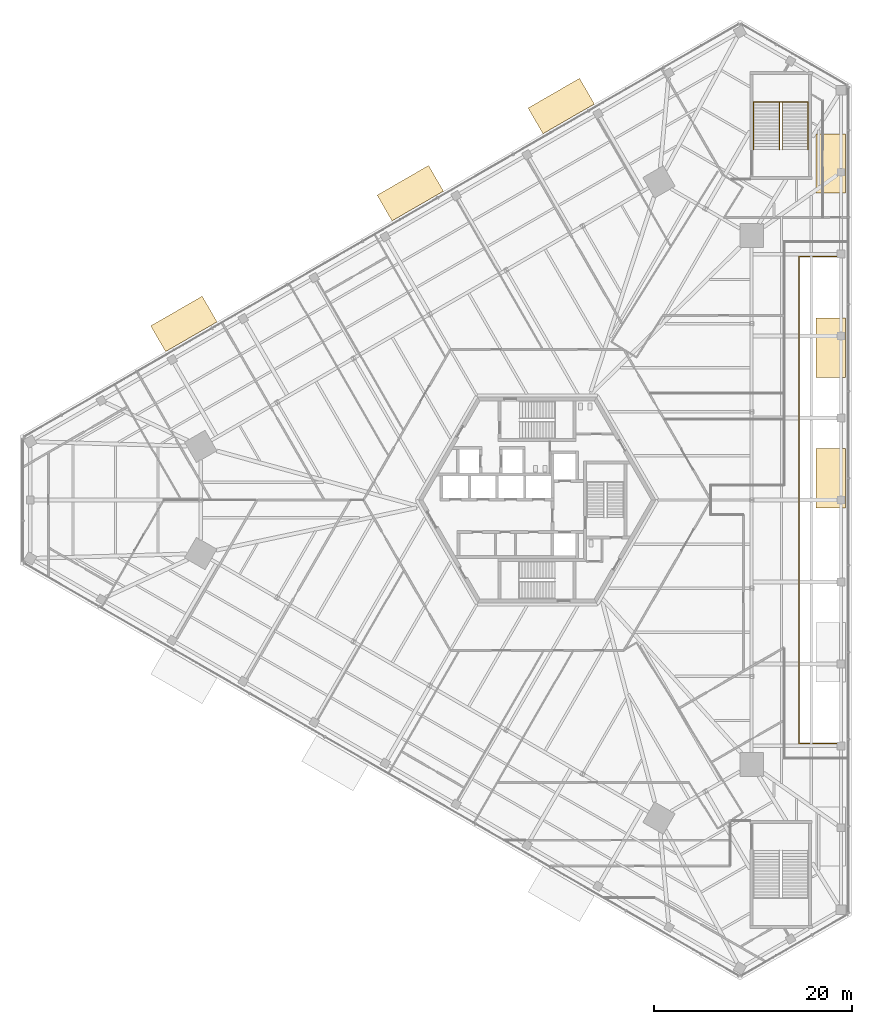
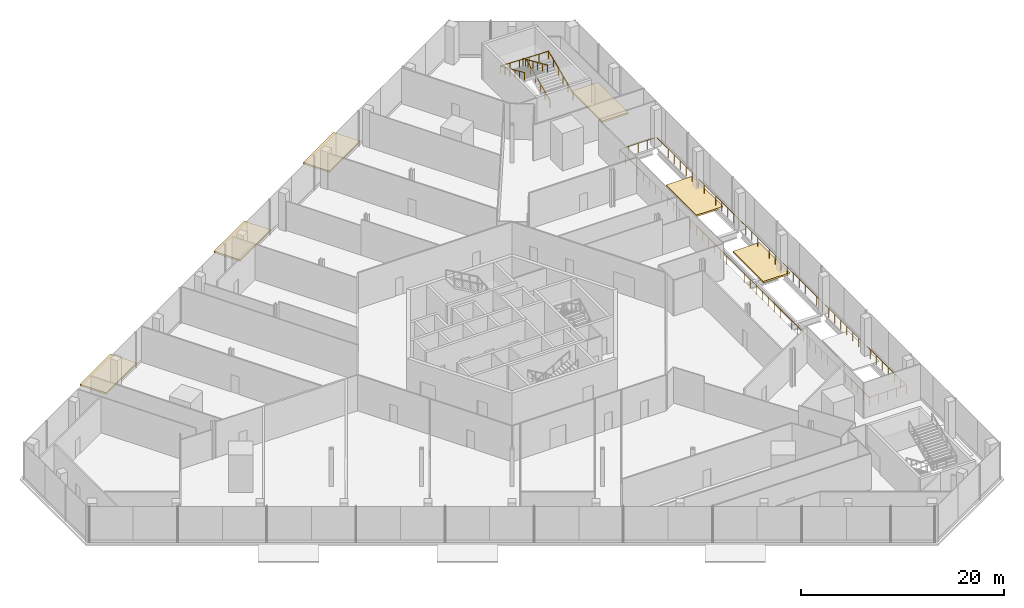
# One storey, part 26 of 27: 6 coverings, 3 railings.
"""IFC4 building model written with IfcOpenShell, lengths in metres."""

from ifc_helpers import new_model, si_unit, direction, frame, origin, origin_2d, place, context, subcontext, project, spatial, rectangle, circle, extrude, source, transform, mapped, material, layer, layer_set, type_object, element, save


model = new_model("IFC4")

# Units and contexts
model_context = context("Model", 3, precision=1e-05, world=origin(), true_north=direction((0.0, 1.0)))
body_context = subcontext(model_context, "Body", "Model", "MODEL_VIEW")
ifc_project = project(units=[si_unit("LENGTHUNIT", "METRE"), si_unit("AREAUNIT", "SQUARE_METRE"), si_unit("VOLUMEUNIT", "CUBIC_METRE"), si_unit("PLANEANGLEUNIT", "RADIAN"), si_unit("MASSUNIT", "GRAM", prefix="KILO")], contexts=[model_context])

# Site, building, storey
site_placement = place(None, origin())
site = spatial("IfcSite", under=ifc_project, at=site_placement, CompositionType="ELEMENT")
building_placement = place(site_placement, origin())
building = spatial("IfcBuilding", under=site, at=building_placement, Name="Triune Harvest Tower", CompositionType="ELEMENT")
storey_placement = place(building_placement, frame((0.0, 0.0, 7.0)))
storey = spatial("IfcBuildingStorey", under=building, at=storey_placement, Name="L01", CompositionType="ELEMENT", Elevation=7.0)

# Railings
ifc_material_1 = material(Name="Stainless steel AISI 316", Category="steel")
railing_type_1 = type_object("IfcRailingType", Name="Stair handrail", PredefinedType="HANDRAIL", material=ifc_material_1)
railing_1_placement = place(storey_placement, frame((27.3701171875, 35.39990234375, 0.13232421875)))
element("IfcRailing", 1, at=railing_1_placement, inside=storey, type_object=railing_type_1, Name="Podium exit stair north wall handrail", PredefinedType="HANDRAIL", context=body_context, shape_type="SweptSolid", body=[
    extrude(circle(Radius=0.02392578125, at=origin_2d()), frame((0.0, 0.0, 0.8759765625), z_axis=(0.0, 0.914917296127, 0.403641352251), x_axis=(-1.0, 0.0, 0.0)), (0.0, 0.0, 1.0), 5.246337890625),
    extrude(circle(Radius=0.02392578125, at=origin_2d()), frame((0.0, 4.800048828125, 2.99365234375), z_axis=(-0.999710709072, 0.0, 0.024051988828), x_axis=(0.0, -1.0, 0.0)), (0.0, 0.0, 1.0), 5.501708984375),
    extrude(circle(Radius=0.02392578125, at=origin_2d()), frame((-5.5, 4.800048828125, 3.1259765625), z_axis=(0.0, -0.914917296127, 0.403641352251), x_axis=(1.0, 0.0, 0.0)), (0.0, 0.0, 1.0), 5.246337890625),
    extrude(circle(Radius=0.02099609375, at=origin_2d()), origin(), (0.0, 0.0, 1.0), 0.851806640625),
    extrude(circle(Radius=0.02099609375, at=origin_2d()), frame((0.0, 0.9599609375, 0.423583984375)), (0.0, 0.0, 1.0), 0.851806640625),
    extrude(circle(Radius=0.02099609375, at=origin_2d()), frame((0.0, 1.919921875, 0.84716796875)), (0.0, 0.0, 1.0), 0.851806640625),
    extrude(circle(Radius=0.02099609375, at=origin_2d()), frame((0.0, 2.880126953125, 1.2705078125)), (0.0, 0.0, 1.0), 0.851806640625),
    extrude(circle(Radius=0.02099609375, at=origin_2d()), frame((0.0, 3.840087890625, 1.694091796875)), (0.0, 0.0, 1.0), 0.851806640625),
    extrude(circle(Radius=0.02099609375, at=origin_2d()), frame((0.0, 4.800048828125, 2.11767578125)), (0.0, 0.0, 1.0), 0.851806640625),
    extrude(circle(Radius=0.02099609375, at=origin_2d()), frame((-1.10009765625, 4.800048828125, 2.14404296875)), (0.0, 0.0, 1.0), 0.851806640625),
    extrude(circle(Radius=0.02099609375, at=origin_2d()), frame((-2.199951171875, 4.800048828125, 2.170654296875)), (0.0, 0.0, 1.0), 0.851806640625),
    extrude(circle(Radius=0.02099609375, at=origin_2d()), frame((-3.300048828125, 4.800048828125, 2.197021484375)), (0.0, 0.0, 1.0), 0.851806640625),
    extrude(circle(Radius=0.02099609375, at=origin_2d()), frame((-4.39990234375, 4.800048828125, 2.2236328125)), (0.0, 0.0, 1.0), 0.851806640625),
    extrude(circle(Radius=0.02099609375, at=origin_2d()), frame((-5.5, 4.800048828125, 2.25)), (0.0, 0.0, 1.0), 0.851806640625),
    extrude(circle(Radius=0.02099609375, at=origin_2d()), frame((-5.5, 3.840087890625, 2.673583984375)), (0.0, 0.0, 1.0), 0.851806640625),
    extrude(circle(Radius=0.02099609375, at=origin_2d()), frame((-5.5, 2.880126953125, 3.09716796875)), (0.0, 0.0, 1.0), 0.851806640625),
    extrude(circle(Radius=0.02099609375, at=origin_2d()), frame((-5.5, 1.919921875, 3.5205078125)), (0.0, 0.0, 1.0), 0.851806640625),
    extrude(circle(Radius=0.02099609375, at=origin_2d()), frame((-5.5, 0.9599609375, 3.944091796875)), (0.0, 0.0, 1.0), 0.851806640625),
    extrude(circle(Radius=0.02099609375, at=origin_2d()), frame((-5.5, 0.0, 4.36767578125)), (0.0, 0.0, 1.0), 0.851806640625),
])
railing_2_placement = place(storey_placement, frame((24.77001953125, 35.39990234375, 0.13232421875)))
element("IfcRailing", 2, at=railing_2_placement, inside=storey, type_object=railing_type_1, Name="Podium exit stair north centre handrail", PredefinedType="HANDRAIL", context=body_context, shape_type="SweptSolid", body=[
    extrude(circle(Radius=0.02392578125, at=origin_2d()), frame((0.0, 0.0, 0.8759765625), z_axis=(0.0, 0.914917296127, 0.403641352251), x_axis=(-1.0, 0.0, 0.0)), (0.0, 0.0, 1.0), 5.246337890625),
    extrude(circle(Radius=0.02392578125, at=origin_2d()), frame((0.0, 4.800048828125, 2.99365234375), z_axis=(-0.914974397301, 0.0, 0.403511898566), x_axis=(0.0, -1.0, 0.0)), (0.0, 0.0, 1.0), 0.327880859375),
    extrude(circle(Radius=0.02392578125, at=origin_2d()), frame((-0.300048828125, 4.800048828125, 3.1259765625), z_axis=(0.0, -0.914917296127, 0.403641352251), x_axis=(1.0, 0.0, 0.0)), (0.0, 0.0, 1.0), 5.246337890625),
    extrude(circle(Radius=0.02099609375, at=origin_2d()), origin(), (0.0, 0.0, 1.0), 0.851806640625),
    extrude(circle(Radius=0.02099609375, at=origin_2d()), frame((0.0, 0.9599609375, 0.423583984375)), (0.0, 0.0, 1.0), 0.851806640625),
    extrude(circle(Radius=0.02099609375, at=origin_2d()), frame((0.0, 1.919921875, 0.84716796875)), (0.0, 0.0, 1.0), 0.851806640625),
    extrude(circle(Radius=0.02099609375, at=origin_2d()), frame((0.0, 2.880126953125, 1.2705078125)), (0.0, 0.0, 1.0), 0.851806640625),
    extrude(circle(Radius=0.02099609375, at=origin_2d()), frame((0.0, 3.840087890625, 1.694091796875)), (0.0, 0.0, 1.0), 0.851806640625),
    extrude(circle(Radius=0.02099609375, at=origin_2d()), frame((0.0, 4.800048828125, 2.11767578125)), (0.0, 0.0, 1.0), 0.851806640625),
    extrude(circle(Radius=0.02099609375, at=origin_2d()), frame((-0.300048828125, 4.800048828125, 2.25)), (0.0, 0.0, 1.0), 0.851806640625),
    extrude(circle(Radius=0.02099609375, at=origin_2d()), frame((-0.300048828125, 3.840087890625, 2.673583984375)), (0.0, 0.0, 1.0), 0.851806640625),
    extrude(circle(Radius=0.02099609375, at=origin_2d()), frame((-0.300048828125, 2.880126953125, 3.09716796875)), (0.0, 0.0, 1.0), 0.851806640625),
    extrude(circle(Radius=0.02099609375, at=origin_2d()), frame((-0.300048828125, 1.919921875, 3.5205078125)), (0.0, 0.0, 1.0), 0.851806640625),
    extrude(circle(Radius=0.02099609375, at=origin_2d()), frame((-0.300048828125, 0.9599609375, 3.944091796875)), (0.0, 0.0, 1.0), 0.851806640625),
    extrude(circle(Radius=0.02099609375, at=origin_2d()), frame((-0.300048828125, 0.0, 4.36767578125)), (0.0, 0.0, 1.0), 0.851806640625),
])

# Coverings
ifc_material_2 = material(Name="Aluminium bronze anodised", Category="aluminium")
ifc_layer = layer(ifc_material_2, 0.199951171875)
ifc_layer_set = layer_set([ifc_layer], Name="Aluminium bronze anodised")
covering_type = type_object("IfcCoveringType", Name="CN-1 entrance canopy 200", PredefinedType="USERDEFINED", material=ifc_layer_set)
shared_shape_1 = source(origin(), body_context, "Body", "SweptSolid", [
    extrude(rectangle(XDim=3.0, YDim=6.0, at=origin_2d()), origin(), (0.0, 0.0, 1.0), 0.199951171875),
])
for number, where, z_axis, x_axis, name in (
    (3, (29.654296875, 2.1953125, -0.2001953125), (0.0, 0.0, 1.0), (1.0, 0.0, 0.0), "Entrance canopy L00-E03"),
    (4, (29.654296875, 15.36669921875, -0.2001953125), (0.0, 0.0, 1.0), (1.0, 0.0, 0.0), "Entrance canopy L00-E04"),
    (5, (29.654296875, 34.0, -0.2001953125), (0.0, 0.0, 1.0), (1.0, 0.0, 0.0), "Entrance canopy L00-E05"),
    (6, (2.4375, 39.80615234375, -0.2001953125), (0.0, 0.0, 1.0), (-0.5, 0.866025403784, 0.0), "Entrance canopy L00-E06"),
    (7, (-12.814208984375, 31.00048828125, -0.2001953125), (0.0, 0.0, 1.0), (-0.5, 0.866025403784, 0.0), "Entrance canopy L00-E07"),
    (8, (-35.69189453125, 17.7919921875, -0.2001953125), (0.0, 0.0, 1.0), (-0.5, 0.866025403784, 0.0), "Entrance canopy L00-E08"),
):
    element("IfcCovering", number, at=place(storey_placement, frame(where, z_axis=z_axis, x_axis=x_axis)), inside=storey, type_object=covering_type, Name=name, ObjectType="CANOPY", PredefinedType="USERDEFINED", context=body_context, shape_type="MappedRepresentation", body=[
        mapped(shared_shape_1, transform((0.0, 0.0, 0.0), scale=1.0)),
    ])

# Railing
ifc_material_3 = material(Name="Steel ASTM A992 Gr 50", Category="steel")
railing_type_2 = type_object("IfcRailingType", Name="GD-5 atrium guard 1100", PredefinedType="GUARDRAIL", material=ifc_material_3)
shared_shape_2 = source(origin(), body_context, "Body", "SweptSolid", [
    extrude(circle(Radius=0.02392578125, at=origin_2d()), frame((0.0, 0.0, 1.076171875), z_axis=(0.0, 1.0, 0.0), x_axis=(-1.0, 0.0, 0.0)), (0.0, 0.0, 1.0), 49.2001953125),
    extrude(circle(Radius=0.02392578125, at=origin_2d()), frame((0.0, 49.2001953125, 1.076171875), z_axis=(1.0, 0.0, 0.0), x_axis=(0.0, 1.0, 0.0)), (0.0, 0.0, 1.0), 4.199951171875),
    extrude(circle(Radius=0.02392578125, at=origin_2d()), frame((4.199951171875, 49.2001953125, 1.076171875), z_axis=(0.0, -1.0, 0.0), x_axis=(1.0, 0.0, 0.0)), (0.0, 0.0, 1.0), 49.2001953125),
    extrude(circle(Radius=0.02392578125, at=origin_2d()), frame((4.199951171875, 0.0, 1.076171875), z_axis=(-1.0, 0.0, 0.0), x_axis=(0.0, -1.0, 0.0)), (0.0, 0.0, 1.0), 4.199951171875),
    extrude(circle(Radius=0.02099609375, at=origin_2d()), origin(), (0.0, 0.0, 1.0), 1.052001953125),
    extrude(circle(Radius=0.02099609375, at=origin_2d()), frame((0.0, 1.17138671875, 0.0)), (0.0, 0.0, 1.0), 1.052001953125),
    extrude(circle(Radius=0.02099609375, at=origin_2d()), frame((0.0, 2.3427734375, 0.0)), (0.0, 0.0, 1.0), 1.052001953125),
    extrude(circle(Radius=0.02099609375, at=origin_2d()), frame((0.0, 3.514404296875, 0.0)), (0.0, 0.0, 1.0), 1.052001953125),
    extrude(circle(Radius=0.02099609375, at=origin_2d()), frame((0.0, 4.685791015625, 0.0)), (0.0, 0.0, 1.0), 1.052001953125),
    extrude(circle(Radius=0.02099609375, at=origin_2d()), frame((0.0, 5.857177734375, 0.0)), (0.0, 0.0, 1.0), 1.052001953125),
    extrude(circle(Radius=0.02099609375, at=origin_2d()), frame((0.0, 7.028564453125, 0.0)), (0.0, 0.0, 1.0), 1.052001953125),
    extrude(circle(Radius=0.02099609375, at=origin_2d()), frame((0.0, 8.199951171875, 0.0)), (0.0, 0.0, 1.0), 1.052001953125),
    extrude(circle(Radius=0.02099609375, at=origin_2d()), frame((0.0, 9.37158203125, 0.0)), (0.0, 0.0, 1.0), 1.052001953125),
    extrude(circle(Radius=0.02099609375, at=origin_2d()), frame((0.0, 10.54296875, 0.0)), (0.0, 0.0, 1.0), 1.052001953125),
    extrude(circle(Radius=0.02099609375, at=origin_2d()), frame((0.0, 11.71435546875, 0.0)), (0.0, 0.0, 1.0), 1.052001953125),
    extrude(circle(Radius=0.02099609375, at=origin_2d()), frame((0.0, 12.8857421875, 0.0)), (0.0, 0.0, 1.0), 1.052001953125),
    extrude(circle(Radius=0.02099609375, at=origin_2d()), frame((0.0, 14.05712890625, 0.0)), (0.0, 0.0, 1.0), 1.052001953125),
    extrude(circle(Radius=0.02099609375, at=origin_2d()), frame((0.0, 15.228515625, 0.0)), (0.0, 0.0, 1.0), 1.052001953125),
    extrude(circle(Radius=0.02099609375, at=origin_2d()), frame((0.0, 16.400146484375, 0.0)), (0.0, 0.0, 1.0), 1.052001953125),
    extrude(circle(Radius=0.02099609375, at=origin_2d()), frame((0.0, 17.571533203125, 0.0)), (0.0, 0.0, 1.0), 1.052001953125),
    extrude(circle(Radius=0.02099609375, at=origin_2d()), frame((0.0, 18.742919921875, 0.0)), (0.0, 0.0, 1.0), 1.052001953125),
    extrude(circle(Radius=0.02099609375, at=origin_2d()), frame((0.0, 19.914306640625, 0.0)), (0.0, 0.0, 1.0), 1.052001953125),
    extrude(circle(Radius=0.02099609375, at=origin_2d()), frame((0.0, 21.085693359375, 0.0)), (0.0, 0.0, 1.0), 1.052001953125),
    extrude(circle(Radius=0.02099609375, at=origin_2d()), frame((0.0, 22.25732421875, 0.0)), (0.0, 0.0, 1.0), 1.052001953125),
    extrude(circle(Radius=0.02099609375, at=origin_2d()), frame((0.0, 23.4287109375, 0.0)), (0.0, 0.0, 1.0), 1.052001953125),
    extrude(circle(Radius=0.02099609375, at=origin_2d()), frame((0.0, 24.60009765625, 0.0)), (0.0, 0.0, 1.0), 1.052001953125),
    extrude(circle(Radius=0.02099609375, at=origin_2d()), frame((0.0, 25.771484375, 0.0)), (0.0, 0.0, 1.0), 1.052001953125),
    extrude(circle(Radius=0.02099609375, at=origin_2d()), frame((0.0, 26.94287109375, 0.0)), (0.0, 0.0, 1.0), 1.052001953125),
    extrude(circle(Radius=0.02099609375, at=origin_2d()), frame((0.0, 28.114501953125, 0.0)), (0.0, 0.0, 1.0), 1.052001953125),
    extrude(circle(Radius=0.02099609375, at=origin_2d()), frame((0.0, 29.285888671875, 0.0)), (0.0, 0.0, 1.0), 1.052001953125),
    extrude(circle(Radius=0.02099609375, at=origin_2d()), frame((0.0, 30.457275390625, 0.0)), (0.0, 0.0, 1.0), 1.052001953125),
    extrude(circle(Radius=0.02099609375, at=origin_2d()), frame((0.0, 31.628662109375, 0.0)), (0.0, 0.0, 1.0), 1.052001953125),
    extrude(circle(Radius=0.02099609375, at=origin_2d()), frame((0.0, 32.800048828125, 0.0)), (0.0, 0.0, 1.0), 1.052001953125),
    extrude(circle(Radius=0.02099609375, at=origin_2d()), frame((0.0, 33.9716796875, 0.0)), (0.0, 0.0, 1.0), 1.052001953125),
    extrude(circle(Radius=0.02099609375, at=origin_2d()), frame((0.0, 35.14306640625, 0.0)), (0.0, 0.0, 1.0), 1.052001953125),
    extrude(circle(Radius=0.02099609375, at=origin_2d()), frame((0.0, 36.314453125, 0.0)), (0.0, 0.0, 1.0), 1.052001953125),
    extrude(circle(Radius=0.02099609375, at=origin_2d()), frame((0.0, 37.48583984375, 0.0)), (0.0, 0.0, 1.0), 1.052001953125),
    extrude(circle(Radius=0.02099609375, at=origin_2d()), frame((0.0, 38.6572265625, 0.0)), (0.0, 0.0, 1.0), 1.052001953125),
    extrude(circle(Radius=0.02099609375, at=origin_2d()), frame((0.0, 39.82861328125, 0.0)), (0.0, 0.0, 1.0), 1.052001953125),
    extrude(circle(Radius=0.02099609375, at=origin_2d()), frame((0.0, 41.000244140625, 0.0)), (0.0, 0.0, 1.0), 1.052001953125),
    extrude(circle(Radius=0.02099609375, at=origin_2d()), frame((0.0, 42.171630859375, 0.0)), (0.0, 0.0, 1.0), 1.052001953125),
    extrude(circle(Radius=0.02099609375, at=origin_2d()), frame((0.0, 43.343017578125, 0.0)), (0.0, 0.0, 1.0), 1.052001953125),
    extrude(circle(Radius=0.02099609375, at=origin_2d()), frame((0.0, 44.514404296875, 0.0)), (0.0, 0.0, 1.0), 1.052001953125),
    extrude(circle(Radius=0.02099609375, at=origin_2d()), frame((0.0, 45.685791015625, 0.0)), (0.0, 0.0, 1.0), 1.052001953125),
    extrude(circle(Radius=0.02099609375, at=origin_2d()), frame((0.0, 46.857421875, 0.0)), (0.0, 0.0, 1.0), 1.052001953125),
    extrude(circle(Radius=0.02099609375, at=origin_2d()), frame((0.0, 48.02880859375, 0.0)), (0.0, 0.0, 1.0), 1.052001953125),
    extrude(circle(Radius=0.02099609375, at=origin_2d()), frame((0.0, 49.2001953125, 0.0)), (0.0, 0.0, 1.0), 1.052001953125),
    extrude(circle(Radius=0.02099609375, at=origin_2d()), frame((1.050048828125, 49.2001953125, 0.0)), (0.0, 0.0, 1.0), 1.052001953125),
    extrude(circle(Radius=0.02099609375, at=origin_2d()), frame((2.10009765625, 49.2001953125, 0.0)), (0.0, 0.0, 1.0), 1.052001953125),
    extrude(circle(Radius=0.02099609375, at=origin_2d()), frame((3.14990234375, 49.2001953125, 0.0)), (0.0, 0.0, 1.0), 1.052001953125),
    extrude(circle(Radius=0.02099609375, at=origin_2d()), frame((4.199951171875, 49.2001953125, 0.0)), (0.0, 0.0, 1.0), 1.052001953125),
    extrude(circle(Radius=0.02099609375, at=origin_2d()), frame((4.199951171875, 48.02880859375, 0.0)), (0.0, 0.0, 1.0), 1.052001953125),
    extrude(circle(Radius=0.02099609375, at=origin_2d()), frame((4.199951171875, 46.857421875, 0.0)), (0.0, 0.0, 1.0), 1.052001953125),
    extrude(circle(Radius=0.02099609375, at=origin_2d()), frame((4.199951171875, 45.685791015625, 0.0)), (0.0, 0.0, 1.0), 1.052001953125),
    extrude(circle(Radius=0.02099609375, at=origin_2d()), frame((4.199951171875, 44.514404296875, 0.0)), (0.0, 0.0, 1.0), 1.052001953125),
    extrude(circle(Radius=0.02099609375, at=origin_2d()), frame((4.199951171875, 43.343017578125, 0.0)), (0.0, 0.0, 1.0), 1.052001953125),
    extrude(circle(Radius=0.02099609375, at=origin_2d()), frame((4.199951171875, 42.171630859375, 0.0)), (0.0, 0.0, 1.0), 1.052001953125),
    extrude(circle(Radius=0.02099609375, at=origin_2d()), frame((4.199951171875, 41.000244140625, 0.0)), (0.0, 0.0, 1.0), 1.052001953125),
    extrude(circle(Radius=0.02099609375, at=origin_2d()), frame((4.199951171875, 39.82861328125, 0.0)), (0.0, 0.0, 1.0), 1.052001953125),
    extrude(circle(Radius=0.02099609375, at=origin_2d()), frame((4.199951171875, 38.6572265625, 0.0)), (0.0, 0.0, 1.0), 1.052001953125),
    extrude(circle(Radius=0.02099609375, at=origin_2d()), frame((4.199951171875, 37.48583984375, 0.0)), (0.0, 0.0, 1.0), 1.052001953125),
    extrude(circle(Radius=0.02099609375, at=origin_2d()), frame((4.199951171875, 36.314453125, 0.0)), (0.0, 0.0, 1.0), 1.052001953125),
    extrude(circle(Radius=0.02099609375, at=origin_2d()), frame((4.199951171875, 35.14306640625, 0.0)), (0.0, 0.0, 1.0), 1.052001953125),
    extrude(circle(Radius=0.02099609375, at=origin_2d()), frame((4.199951171875, 33.9716796875, 0.0)), (0.0, 0.0, 1.0), 1.052001953125),
    extrude(circle(Radius=0.02099609375, at=origin_2d()), frame((4.199951171875, 32.800048828125, 0.0)), (0.0, 0.0, 1.0), 1.052001953125),
    extrude(circle(Radius=0.02099609375, at=origin_2d()), frame((4.199951171875, 31.628662109375, 0.0)), (0.0, 0.0, 1.0), 1.052001953125),
    extrude(circle(Radius=0.02099609375, at=origin_2d()), frame((4.199951171875, 30.457275390625, 0.0)), (0.0, 0.0, 1.0), 1.052001953125),
    extrude(circle(Radius=0.02099609375, at=origin_2d()), frame((4.199951171875, 29.285888671875, 0.0)), (0.0, 0.0, 1.0), 1.052001953125),
    extrude(circle(Radius=0.02099609375, at=origin_2d()), frame((4.199951171875, 28.114501953125, 0.0)), (0.0, 0.0, 1.0), 1.052001953125),
    extrude(circle(Radius=0.02099609375, at=origin_2d()), frame((4.199951171875, 26.94287109375, 0.0)), (0.0, 0.0, 1.0), 1.052001953125),
    extrude(circle(Radius=0.02099609375, at=origin_2d()), frame((4.199951171875, 25.771484375, 0.0)), (0.0, 0.0, 1.0), 1.052001953125),
    extrude(circle(Radius=0.02099609375, at=origin_2d()), frame((4.199951171875, 24.60009765625, 0.0)), (0.0, 0.0, 1.0), 1.052001953125),
    extrude(circle(Radius=0.02099609375, at=origin_2d()), frame((4.199951171875, 23.4287109375, 0.0)), (0.0, 0.0, 1.0), 1.052001953125),
    extrude(circle(Radius=0.02099609375, at=origin_2d()), frame((4.199951171875, 22.25732421875, 0.0)), (0.0, 0.0, 1.0), 1.052001953125),
    extrude(circle(Radius=0.02099609375, at=origin_2d()), frame((4.199951171875, 21.085693359375, 0.0)), (0.0, 0.0, 1.0), 1.052001953125),
    extrude(circle(Radius=0.02099609375, at=origin_2d()), frame((4.199951171875, 19.914306640625, 0.0)), (0.0, 0.0, 1.0), 1.052001953125),
    extrude(circle(Radius=0.02099609375, at=origin_2d()), frame((4.199951171875, 18.742919921875, 0.0)), (0.0, 0.0, 1.0), 1.052001953125),
    extrude(circle(Radius=0.02099609375, at=origin_2d()), frame((4.199951171875, 17.571533203125, 0.0)), (0.0, 0.0, 1.0), 1.052001953125),
    extrude(circle(Radius=0.02099609375, at=origin_2d()), frame((4.199951171875, 16.400146484375, 0.0)), (0.0, 0.0, 1.0), 1.052001953125),
    extrude(circle(Radius=0.02099609375, at=origin_2d()), frame((4.199951171875, 15.228515625, 0.0)), (0.0, 0.0, 1.0), 1.052001953125),
    extrude(circle(Radius=0.02099609375, at=origin_2d()), frame((4.199951171875, 14.05712890625, 0.0)), (0.0, 0.0, 1.0), 1.052001953125),
    extrude(circle(Radius=0.02099609375, at=origin_2d()), frame((4.199951171875, 12.8857421875, 0.0)), (0.0, 0.0, 1.0), 1.052001953125),
    extrude(circle(Radius=0.02099609375, at=origin_2d()), frame((4.199951171875, 11.71435546875, 0.0)), (0.0, 0.0, 1.0), 1.052001953125),
    extrude(circle(Radius=0.02099609375, at=origin_2d()), frame((4.199951171875, 10.54296875, 0.0)), (0.0, 0.0, 1.0), 1.052001953125),
    extrude(circle(Radius=0.02099609375, at=origin_2d()), frame((4.199951171875, 9.37158203125, 0.0)), (0.0, 0.0, 1.0), 1.052001953125),
    extrude(circle(Radius=0.02099609375, at=origin_2d()), frame((4.199951171875, 8.199951171875, 0.0)), (0.0, 0.0, 1.0), 1.052001953125),
    extrude(circle(Radius=0.02099609375, at=origin_2d()), frame((4.199951171875, 7.028564453125, 0.0)), (0.0, 0.0, 1.0), 1.052001953125),
    extrude(circle(Radius=0.02099609375, at=origin_2d()), frame((4.199951171875, 5.857177734375, 0.0)), (0.0, 0.0, 1.0), 1.052001953125),
    extrude(circle(Radius=0.02099609375, at=origin_2d()), frame((4.199951171875, 4.685791015625, 0.0)), (0.0, 0.0, 1.0), 1.052001953125),
    extrude(circle(Radius=0.02099609375, at=origin_2d()), frame((4.199951171875, 3.514404296875, 0.0)), (0.0, 0.0, 1.0), 1.052001953125),
    extrude(circle(Radius=0.02099609375, at=origin_2d()), frame((4.199951171875, 2.3427734375, 0.0)), (0.0, 0.0, 1.0), 1.052001953125),
    extrude(circle(Radius=0.02099609375, at=origin_2d()), frame((4.199951171875, 1.17138671875, 0.0)), (0.0, 0.0, 1.0), 1.052001953125),
    extrude(circle(Radius=0.02099609375, at=origin_2d()), frame((4.199951171875, 0.0, 0.0)), (0.0, 0.0, 1.0), 1.052001953125),
    extrude(circle(Radius=0.02099609375, at=origin_2d()), frame((3.14990234375, 0.0, 0.0)), (0.0, 0.0, 1.0), 1.052001953125),
    extrude(circle(Radius=0.02099609375, at=origin_2d()), frame((2.10009765625, 0.0, 0.0)), (0.0, 0.0, 1.0), 1.052001953125),
    extrude(circle(Radius=0.02099609375, at=origin_2d()), frame((1.050048828125, 0.0, 0.0)), (0.0, 0.0, 1.0), 1.052001953125),
])
railing_3_placement = place(storey_placement, frame((26.454345703125, -24.60009765625, 0.0)))
element("IfcRailing", 9, at=railing_3_placement, inside=storey, type_object=railing_type_2, Name="Atrium guard L01.1", PredefinedType="GUARDRAIL", context=body_context, shape_type="MappedRepresentation", body=[
    mapped(shared_shape_2, transform((0.0, 0.0, 0.0), scale=1.0)),
])

save(model, "model.ifc")
